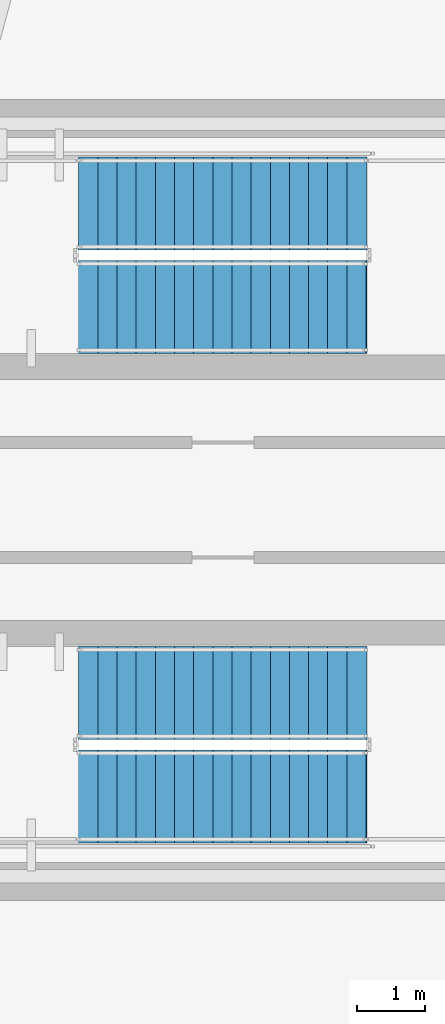
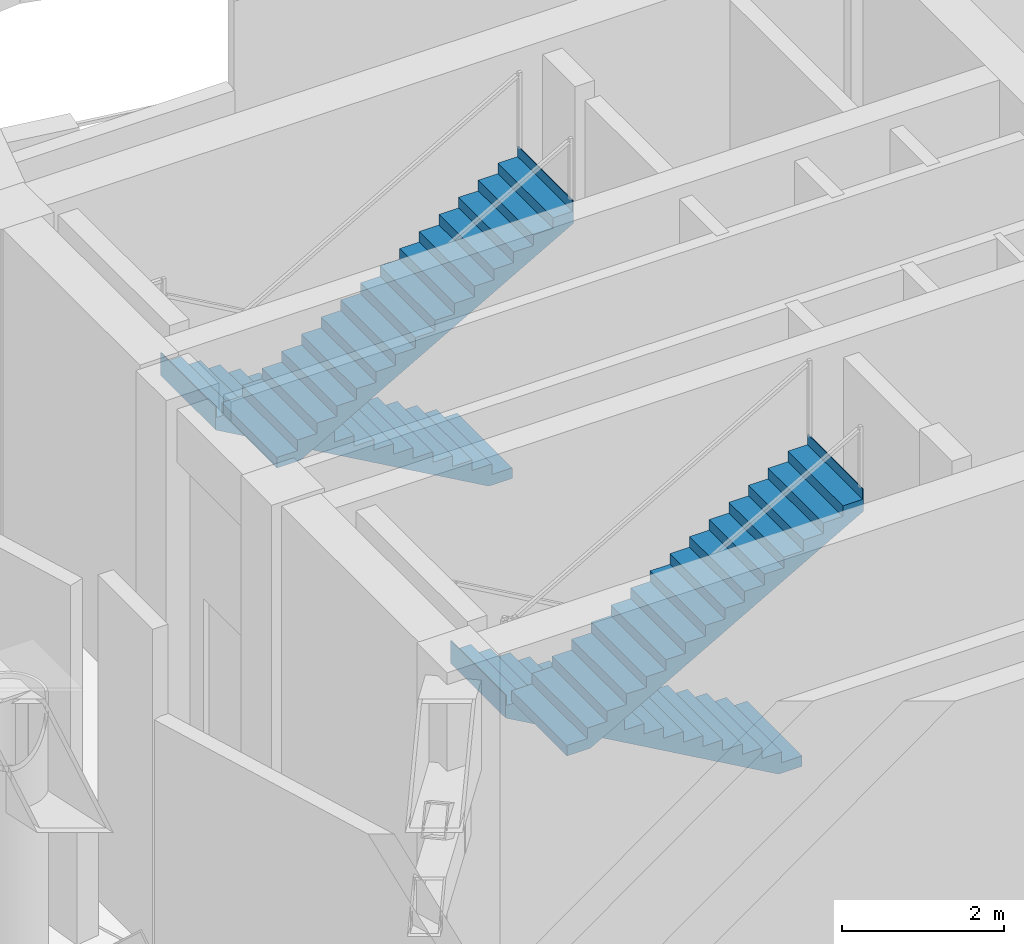
# One storey, part 5 of 9: 4 stair flights, 2 elements without a shape of their own.
"""IFC4 building model written with IfcOpenShell, lengths in metres."""

from ifc_helpers import new_model, si_unit, direction, frame, origin, place, context, subcontext, project, spatial, polyline, outline, extrude, material, type_object, element, aggregate, save


model = new_model("IFC4")

# Units and contexts
model_context = context("Model", 3, precision=1e-05, world=origin(), true_north=direction((0.0, 1.0)))
body_context = subcontext(model_context, "Body", "Model", "MODEL_VIEW")
ifc_project = project(units=[si_unit("LENGTHUNIT", "METRE"), si_unit("AREAUNIT", "SQUARE_METRE"), si_unit("VOLUMEUNIT", "CUBIC_METRE"), si_unit("PLANEANGLEUNIT", "RADIAN"), si_unit("MASSUNIT", "GRAM", prefix="KILO")], contexts=[model_context])

# Site, building, storey
site_placement = place(None, origin())
site = spatial("IfcSite", under=ifc_project, at=site_placement, CompositionType="ELEMENT")
building_placement = place(site_placement, origin())
building = spatial("IfcBuilding", under=site, at=building_placement, Name="Yunling Apex Tower", CompositionType="ELEMENT")
storey_placement = place(building_placement, frame((0.0, 0.0, 252.449951171875)))
storey = spatial("IfcBuildingStorey", under=building, at=storey_placement, Name="RF7", CompositionType="ELEMENT", Elevation=252.449951171875)

# Stair, stair flights
ifc_material = material(Name="Concrete C40", Category="concrete")
stair_type = type_object("IfcStairType", Name="ST-TWR-1", PredefinedType="HALF_TURN_STAIR", material=ifc_material)
stair_1_placement = place(storey_placement, origin())
stair_1 = element("IfcStair", 1, at=stair_1_placement, inside=storey, type_object=stair_type, Name="RF7 North Core Smokeproof Exit Stair ST-1", PredefinedType="HALF_TURN_STAIR")
stair_flight_type = type_object("IfcStairFlightType", Name="SFL-TWR-1", PredefinedType="STRAIGHT", material=ifc_material)
stair_flight_1_placement = place(storey_placement, frame((-0.010009765625, 4.330078125, 0.0), z_axis=(0.0, 0.0, 1.0), x_axis=(-1.0, 0.0, 0.0)))
stair_flight_1 = element("IfcStairFlight", 2, at=stair_flight_1_placement, type_object=stair_flight_type, Name="ST-1 flight 1", NumberOfRisers=16, NumberOfTreads=15, PredefinedType="STRAIGHT", RiserHeight=0.159375, TreadLength=0.28, context=body_context, shape_type="SweptSolid", body=[
    extrude(outline(polyline([(-0.011962890625, 0.0), (-0.011962890625, 0.159423828125), (0.0, 0.159423828125), (0.280029296875, 0.159423828125), (0.280029296875, 0.31884765625), (0.56005859375, 0.31884765625), (0.56005859375, 0.47802734375), (0.840087890625, 0.47802734375), (0.840087890625, 0.637451171875), (1.1201171875, 0.637451171875), (1.1201171875, 0.796875), (1.39990234375, 0.796875), (1.39990234375, 0.956298828125), (1.679931640625, 0.956298828125), (1.679931640625, 1.11572265625), (1.9599609375, 1.11572265625), (1.9599609375, 1.27490234375), (2.239990234375, 1.27490234375), (2.239990234375, 1.434326171875), (2.52001953125, 1.434326171875), (2.52001953125, 1.59375), (2.800048828125, 1.59375), (2.800048828125, 1.753173828125), (3.080078125, 1.753173828125), (3.080078125, 1.91259765625), (3.360107421875, 1.91259765625), (3.360107421875, 2.07177734375), (3.639892578125, 2.07177734375), (3.639892578125, 2.231201171875), (3.919921875, 2.231201171875), (3.919921875, 2.390625), (4.199951171875, 2.390625), (4.199951171875, 2.550048828125), (4.2119140625, 2.550048828125), (4.2119140625, 2.20654296875), (0.3232421875, 0.0), (-0.011962890625, 0.0)])), frame((0.0, 0.68017578125, 0.0), z_axis=(0.0, -1.0, 0.0), x_axis=(1.0, 0.0, 0.0)), (0.0, 0.0, 1.0), 1.360107421875),
])
stair_flight_2_placement = place(storey_placement, frame((-4.2099609375, 2.820068359375, 2.550048828125), z_axis=(0.0, 0.0, 1.0), x_axis=(1.0, 0.0, 0.0)))
stair_flight_2 = element("IfcStairFlight", 3, at=stair_flight_2_placement, type_object=stair_flight_type, Name="ST-1 flight 2", NumberOfRisers=16, NumberOfTreads=15, PredefinedType="STRAIGHT", RiserHeight=0.159375, TreadLength=0.28, context=body_context, shape_type="SweptSolid", body=[
    extrude(outline(polyline([(-0.011962890625, 0.0), (-0.011962890625, 0.159423828125), (0.0, 0.159423828125), (0.280029296875, 0.159423828125), (0.280029296875, 0.31884765625), (0.56005859375, 0.31884765625), (0.56005859375, 0.47802734375), (0.840087890625, 0.47802734375), (0.840087890625, 0.637451171875), (1.1201171875, 0.637451171875), (1.1201171875, 0.796875), (1.39990234375, 0.796875), (1.39990234375, 0.956298828125), (1.679931640625, 0.956298828125), (1.679931640625, 1.11572265625), (1.9599609375, 1.11572265625), (1.9599609375, 1.27490234375), (2.239990234375, 1.27490234375), (2.239990234375, 1.434326171875), (2.52001953125, 1.434326171875), (2.52001953125, 1.59375), (2.800048828125, 1.59375), (2.800048828125, 1.753173828125), (3.080078125, 1.753173828125), (3.080078125, 1.91259765625), (3.360107421875, 1.91259765625), (3.360107421875, 2.07177734375), (3.639892578125, 2.07177734375), (3.639892578125, 2.231201171875), (3.919921875, 2.231201171875), (3.919921875, 2.390625), (4.199951171875, 2.390625), (4.199951171875, 2.550048828125), (4.2119140625, 2.550048828125), (4.2119140625, 2.20654296875), (0.3232421875, 0.0), (-0.011962890625, 0.0)])), frame((0.0, 0.68017578125, 0.0), z_axis=(0.0, -1.0, 0.0), x_axis=(1.0, 0.0, 0.0)), (0.0, 0.0, 1.0), 1.360107421875),
])
aggregate(stair_1, [stair_flight_1, stair_flight_2])

stair_2_placement = place(storey_placement, origin())
stair_2 = element("IfcStair", 4, at=stair_2_placement, inside=storey, type_object=stair_type, Name="RF7 South Core Smokeproof Exit Stair ST-2", PredefinedType="HALF_TURN_STAIR")
stair_flight_3_placement = place(storey_placement, frame((-0.010009765625, -2.820068359375, 0.0), z_axis=(0.0, 0.0, 1.0), x_axis=(-1.0, 0.0, 0.0)))
stair_flight_3 = element("IfcStairFlight", 5, at=stair_flight_3_placement, type_object=stair_flight_type, Name="ST-2 flight 1", NumberOfRisers=16, NumberOfTreads=15, PredefinedType="STRAIGHT", RiserHeight=0.159375, TreadLength=0.28, context=body_context, shape_type="SweptSolid", body=[
    extrude(outline(polyline([(-0.011962890625, 0.0), (-0.011962890625, 0.159423828125), (0.0, 0.159423828125), (0.280029296875, 0.159423828125), (0.280029296875, 0.31884765625), (0.56005859375, 0.31884765625), (0.56005859375, 0.47802734375), (0.840087890625, 0.47802734375), (0.840087890625, 0.637451171875), (1.1201171875, 0.637451171875), (1.1201171875, 0.796875), (1.39990234375, 0.796875), (1.39990234375, 0.956298828125), (1.679931640625, 0.956298828125), (1.679931640625, 1.11572265625), (1.9599609375, 1.11572265625), (1.9599609375, 1.27490234375), (2.239990234375, 1.27490234375), (2.239990234375, 1.434326171875), (2.52001953125, 1.434326171875), (2.52001953125, 1.59375), (2.800048828125, 1.59375), (2.800048828125, 1.753173828125), (3.080078125, 1.753173828125), (3.080078125, 1.91259765625), (3.360107421875, 1.91259765625), (3.360107421875, 2.07177734375), (3.639892578125, 2.07177734375), (3.639892578125, 2.231201171875), (3.919921875, 2.231201171875), (3.919921875, 2.390625), (4.199951171875, 2.390625), (4.199951171875, 2.550048828125), (4.2119140625, 2.550048828125), (4.2119140625, 2.20654296875), (0.3232421875, 0.0), (-0.011962890625, 0.0)])), frame((0.0, 0.68017578125, 0.0), z_axis=(0.0, -1.0, 0.0), x_axis=(1.0, 0.0, 0.0)), (0.0, 0.0, 1.0), 1.360107421875),
])
stair_flight_4_placement = place(storey_placement, frame((-4.2099609375, -4.330078125, 2.550048828125), z_axis=(0.0, 0.0, 1.0), x_axis=(1.0, 0.0, 0.0)))
stair_flight_4 = element("IfcStairFlight", 6, at=stair_flight_4_placement, type_object=stair_flight_type, Name="ST-2 flight 2", NumberOfRisers=16, NumberOfTreads=15, PredefinedType="STRAIGHT", RiserHeight=0.159375, TreadLength=0.28, context=body_context, shape_type="SweptSolid", body=[
    extrude(outline(polyline([(-0.011962890625, 0.0), (-0.011962890625, 0.159423828125), (0.0, 0.159423828125), (0.280029296875, 0.159423828125), (0.280029296875, 0.31884765625), (0.56005859375, 0.31884765625), (0.56005859375, 0.47802734375), (0.840087890625, 0.47802734375), (0.840087890625, 0.637451171875), (1.1201171875, 0.637451171875), (1.1201171875, 0.796875), (1.39990234375, 0.796875), (1.39990234375, 0.956298828125), (1.679931640625, 0.956298828125), (1.679931640625, 1.11572265625), (1.9599609375, 1.11572265625), (1.9599609375, 1.27490234375), (2.239990234375, 1.27490234375), (2.239990234375, 1.434326171875), (2.52001953125, 1.434326171875), (2.52001953125, 1.59375), (2.800048828125, 1.59375), (2.800048828125, 1.753173828125), (3.080078125, 1.753173828125), (3.080078125, 1.91259765625), (3.360107421875, 1.91259765625), (3.360107421875, 2.07177734375), (3.639892578125, 2.07177734375), (3.639892578125, 2.231201171875), (3.919921875, 2.231201171875), (3.919921875, 2.390625), (4.199951171875, 2.390625), (4.199951171875, 2.550048828125), (4.2119140625, 2.550048828125), (4.2119140625, 2.20654296875), (0.3232421875, 0.0), (-0.011962890625, 0.0)])), frame((0.0, 0.68017578125, 0.0), z_axis=(0.0, -1.0, 0.0), x_axis=(1.0, 0.0, 0.0)), (0.0, 0.0, 1.0), 1.360107421875),
])
aggregate(stair_2, [stair_flight_3, stair_flight_4])

save(model, "model.ifc")
